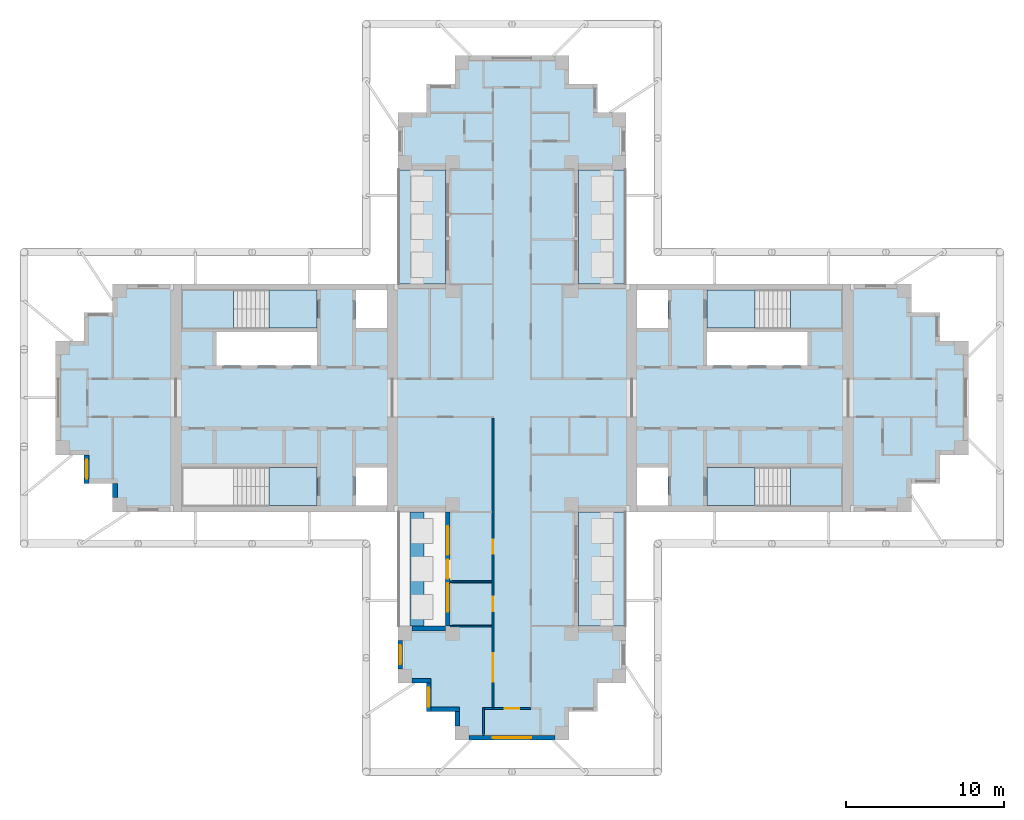
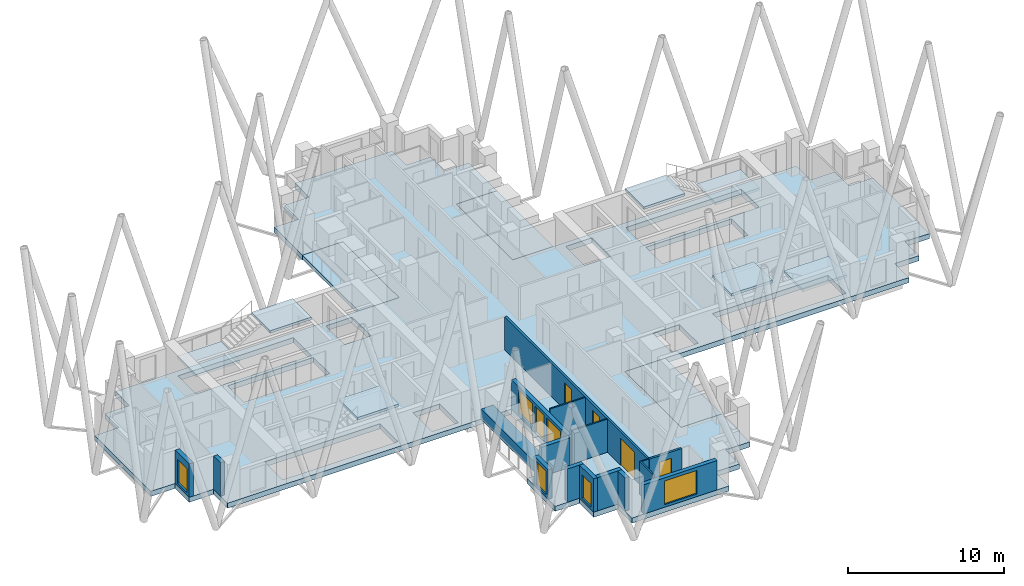
# One storey, part 2 of 11: 17 walls, 11 slabs, 6 windows, 5 doors, 11 openings, 4 elements without a shape of their own.
"""IFC4 building model written with IfcOpenShell, lengths in metres."""

import ifcopenshell
import ifcopenshell.guid

model = None  # the IFC model being written
_history = None  # IfcOwnerHistory: only IFC2X3 demands one
_inside = {}  # id of a spatial element -> (the spatial element, [elements in it])
_under = {}  # id of a project, library or spatial element -> (it, [spatial elements below it])
_declared = {}  # id of a project -> (the project, [libraries it declares])
_typed = {}  # id of a type object -> (the type object, [elements of that type])
_made_of = {}  # id of a material, layer set ... -> (it, [elements and type objects made of it])


def new_model(schema):
    """Start an empty IFC model of exactly this schema.

    Asked for "IFC4X3", IfcOpenShell would pick the latest addendum, in which some entities
    have other attributes; the version numbers below select the first issue.
    IFC2X3 requires an IfcOwnerHistory on every rooted entity: one is made here for all.
    """
    global model, _history
    if schema == "IFC4X3":
        model = ifcopenshell.file(schema_version=(4, 3, 0, 0))
    else:
        model = ifcopenshell.file(schema=schema)
    _inside.clear()
    _under.clear()
    _declared.clear()
    _typed.clear()
    _made_of.clear()
    _history = None
    if model.schema == "IFC2X3":
        org = make("IfcOrganization", Name="unknown")
        user = make(
            "IfcPersonAndOrganization",
            ThePerson=make("IfcPerson", FamilyName="unknown"),
            TheOrganization=org,
        )
        app = make(
            "IfcApplication",
            ApplicationDeveloper=org,
            Version="unknown",
            ApplicationFullName="unknown",
            ApplicationIdentifier="unknown",
        )
        _history = make(
            "IfcOwnerHistory",
            OwningUser=user,
            OwningApplication=app,
            ChangeAction="ADDED",
            CreationDate=0,
        )
    return model


def make(cls, **values):
    """One entity of the class cls with the attributes given. An attribute that is None is left unset."""
    return model.create_entity(
        cls, **{name: value for name, value in values.items() if value is not None}
    )


def rooted(cls, **values):
    """An entity with a GlobalId (a new one), such as an element, a storey or a relation."""
    return make(cls, GlobalId=ifcopenshell.guid.new(), OwnerHistory=_history, **values)


def si_unit(unit_type, name, prefix=None):
    """IfcSIUnit, for example si_unit("LENGTHUNIT", "METRE", prefix="MILLI")."""
    return make("IfcSIUnit", UnitType=unit_type, Prefix=prefix, Name=name)


def assignment(units):
    """IfcUnitAssignment: the units of a project."""
    return None if units is None else make("IfcUnitAssignment", Units=units)


def point(xyz):
    """IfcCartesianPoint."""
    return None if xyz is None else make("IfcCartesianPoint", Coordinates=xyz)


def direction(xyz):
    """IfcDirection."""
    return None if xyz is None else make("IfcDirection", DirectionRatios=xyz)


def frame(location, z_axis=None, x_axis=None):
    """IfcAxis2Placement3D, a coordinate frame: its origin and axes. An axis left out is left unset."""
    return make(
        "IfcAxis2Placement3D",
        Location=point(location),
        Axis=direction(z_axis),
        RefDirection=direction(x_axis),
    )


def frame_2d(location, x_axis=None):
    """IfcAxis2Placement2D, a coordinate frame in the plane: its origin and x axis."""
    return make(
        "IfcAxis2Placement2D", Location=point(location), RefDirection=direction(x_axis)
    )


def origin():
    """The frame at (0, 0, 0) with its axes left unset."""
    return frame((0.0, 0.0, 0.0))


def place(relative_to, where):
    """IfcLocalPlacement: puts the frame where relative to a parent placement (None: the world)."""
    return make(
        "IfcLocalPlacement", PlacementRelTo=relative_to, RelativePlacement=where
    )


def context(
    kind, dimensions, precision=None, world=None, true_north=None, identifier=None
):
    """IfcGeometricRepresentationContext, for example the 3D "Model" context."""
    return make(
        "IfcGeometricRepresentationContext",
        ContextIdentifier=identifier,
        ContextType=kind,
        CoordinateSpaceDimension=dimensions,
        Precision=precision,
        WorldCoordinateSystem=world,
        TrueNorth=true_north,
    )


def subcontext(parent, identifier, kind, view, scale=None):
    """IfcGeometricRepresentationSubContext, for example "Body" below "Model"."""
    return make(
        "IfcGeometricRepresentationSubContext",
        ContextIdentifier=identifier,
        ContextType=kind,
        ParentContext=parent,
        TargetScale=scale,
        TargetView=view,
    )


def project(units=None, contexts=None):
    """IfcProject with its units and contexts."""
    return rooted(
        "IfcProject",
        Name="project",
        RepresentationContexts=contexts,
        UnitsInContext=assignment(units),
    )


def spatial(cls, under=None, at=None, **own):
    """A site, building, storey or space (cls), placed at a placement, below another one or the project."""
    s = rooted(cls, ObjectPlacement=at, **own)
    if under is not None:
        _under.setdefault(under.id(), (under, []))[1].append(s)
    return s


def polyline(points):
    """IfcPolyline through the points."""
    return make("IfcPolyline", Points=[point(p) for p in points])


def profile(cls, at=None, kind="AREA", **sizes):
    """A parametric profile (cls). Its sizes go by their IFC names, for example OverallWidth=200.0."""
    return make(cls, ProfileType=kind, Position=at, **sizes)


def rectangle(**sizes):
    """IfcRectangleProfileDef."""
    return profile("IfcRectangleProfileDef", **sizes)


def outline(outer, holes=None, kind="AREA"):
    """IfcArbitraryClosedProfileDef: a profile drawn as a closed curve; with holes, ...WithVoids."""
    if holes is None:
        return make("IfcArbitraryClosedProfileDef", ProfileType=kind, OuterCurve=outer)
    return make(
        "IfcArbitraryProfileDefWithVoids",
        ProfileType=kind,
        OuterCurve=outer,
        InnerCurves=holes,
    )


def extrude(swept, where, along, depth):
    """IfcExtrudedAreaSolid: the profile swept, set in the frame where, extruded along a direction by depth."""
    return make(
        "IfcExtrudedAreaSolid",
        SweptArea=swept,
        Position=where,
        ExtrudedDirection=direction(along),
        Depth=depth,
    )


def shape(context_of_items, identifier, shape_type, items):
    """IfcShapeRepresentation: the items that make up one representation, for example the "Body"."""
    return make(
        "IfcShapeRepresentation",
        ContextOfItems=context_of_items,
        RepresentationIdentifier=identifier,
        RepresentationType=shape_type,
        Items=items,
    )


def material(Name=None, Category=None):
    """IfcMaterial."""
    return make("IfcMaterial", Name=Name, Category=Category)


def layer(
    of_material, thickness, ventilated=None, Name=None, Category=None, Priority=None
):
    """IfcMaterialLayer: one layer of a wall or slab, of a material (None: an air gap)."""
    return make(
        "IfcMaterialLayer",
        Material=of_material,
        LayerThickness=thickness,
        IsVentilated=ventilated,
        Name=Name,
        Category=Category,
        Priority=Priority,
    )


def layer_set(layers, Name=None):
    """IfcMaterialLayerSet."""
    return make("IfcMaterialLayerSet", MaterialLayers=layers, LayerSetName=Name)


def made_of(thing, what):
    """Note that an element or type object is made of a material, layer set ...; save() writes the relation."""
    if what is not None:
        _made_of.setdefault(what.id(), (what, []))[1].append(thing)
    return thing


def type_object(cls, material=None, **own):
    """A type object (cls), such as IfcWallType, which elements share."""
    return made_of(rooted(cls, **own), material)


def element(
    cls,
    number,
    at=None,
    inside=None,
    cuts=None,
    type_object=None,
    material=None,
    context=None,
    identifier="Body",
    shape_type=None,
    held_by="IfcProductDefinitionShape",
    body=None,
    shapes=None,
    **own,
):
    """One element of the class cls, such as IfcWall. Its Tag is "e" and its number.

    at: its placement. inside: the storey or other place that contains it. cuts: it is an
    opening in that element (IfcRelVoidsElement). A single representation is given by context,
    identifier, shape_type and body (its items); several are given by shapes. held_by: the class
    of the entity that holds the representations. save() writes the other relations.
    """
    e = rooted(cls, Tag="e%d" % number, ObjectPlacement=at, **own)
    if body is not None:
        shapes = [shape(context, identifier, shape_type, body)]
    if shapes is not None:
        e.Representation = make(held_by, Representations=shapes)
    if inside is not None:
        _inside.setdefault(inside.id(), (inside, []))[1].append(e)
    if cuts is not None:
        rooted(
            "IfcRelVoidsElement", RelatingBuildingElement=cuts, RelatedOpeningElement=e
        )
    if type_object is not None:
        _typed.setdefault(type_object.id(), (type_object, []))[1].append(e)
    return made_of(e, material)


def fill(opening, filler):
    """IfcRelFillsElement: the door or window that sits in an opening."""
    return rooted(
        "IfcRelFillsElement",
        RelatingOpeningElement=opening,
        RelatedBuildingElement=filler,
    )


def aggregate(whole, parts):
    """IfcRelAggregates: a whole, such as a stair, and the parts it consists of."""
    return rooted("IfcRelAggregates", RelatingObject=whole, RelatedObjects=parts)


def save(model, path):
    """Write the relations noted so far, then the file.

    IfcRelAggregates (storeys below a building ...), IfcRelContainedInSpatialStructure (elements
    in a storey), IfcRelDefinesByType, IfcRelAssociatesMaterial and IfcRelDeclares: one each for
    every whole, place, type object, material and project.
    """
    for whole, parts in _under.values():
        aggregate(whole, parts)
    for where, things in _inside.values():
        rooted(
            "IfcRelContainedInSpatialStructure",
            RelatedElements=things,
            RelatingStructure=where,
        )
    for kind, things in _typed.values():
        rooted("IfcRelDefinesByType", RelatedObjects=things, RelatingType=kind)
    for what, things in _made_of.values():
        rooted("IfcRelAssociatesMaterial", RelatedObjects=things, RelatingMaterial=what)
    for by, libraries in _declared.values():
        rooted("IfcRelDeclares", RelatingContext=by, RelatedDefinitions=libraries)
    model.write(path)


model = new_model("IFC4")

# Units and contexts
model_context = context("Model", 3, precision=1e-05, world=origin(), true_north=direction((0.0, 1.0)))
body_context = subcontext(model_context, "Body", "Model", "MODEL_VIEW")
ifc_project = project(units=[si_unit("LENGTHUNIT", "METRE"), si_unit("AREAUNIT", "SQUARE_METRE"), si_unit("VOLUMEUNIT", "CUBIC_METRE"), si_unit("PLANEANGLEUNIT", "RADIAN"), si_unit("MASSUNIT", "GRAM", prefix="KILO")], contexts=[model_context])

# Site, building, storey
site_placement = place(None, origin())
site = spatial("IfcSite", under=ifc_project, at=site_placement, CompositionType="ELEMENT")
building_placement = place(site_placement, origin())
building = spatial("IfcBuilding", under=site, at=building_placement, Name="Fustian Cross Tower", CompositionType="ELEMENT")
storey_placement = place(building_placement, frame((0.0, 0.0, 210.89990234375)))
storey = spatial("IfcBuildingStorey", under=building, at=storey_placement, Name="L66", CompositionType="ELEMENT", Elevation=210.89990234375)

# Slabs
ifc_material_1 = material(Name="Concrete C40/50", Category="concrete")
ifc_layer_1 = layer(ifc_material_1, 0.300048828125)
ifc_layer_set_1 = layer_set([ifc_layer_1], Name="Concrete C40/50")
slab_type_1 = type_object("IfcSlabType", Name="BS1 BALCONY SLAB 300", PredefinedType="FLOOR", material=ifc_layer_set_1)
slab_1_placement = place(storey_placement, frame((0.0, 0.0, -0.2998046875)))
element("IfcSlab", 1, at=slab_1_placement, inside=storey, type_object=slab_type_1, Name="Balcony slab", PredefinedType="FLOOR", context=body_context, shape_type="SweptSolid", body=[
    extrude(outline(polyline([(4.199951171875, 7.199951171875), (7.199951171875, 7.199951171875), (7.199951171875, 14.39990234375), (4.199951171875, 14.39990234375), (4.199951171875, 7.199951171875)])), origin(), (0.0, 0.0, 1.0), 0.2998046875),
])
slab_2_placement = place(storey_placement, frame((0.0, 0.0, -0.2998046875)))
element("IfcSlab", 2, at=slab_2_placement, inside=storey, type_object=slab_type_1, Name="Balcony slab", PredefinedType="FLOOR", context=body_context, shape_type="SweptSolid", body=[
    extrude(outline(polyline([(-7.199951171875, 7.199951171875), (-4.199951171875, 7.199951171875), (-4.199951171875, 14.39990234375), (-7.199951171875, 14.39990234375), (-7.199951171875, 7.199951171875)])), origin(), (0.0, 0.0, 1.0), 0.2998046875),
])
slab_3_placement = place(storey_placement, frame((0.0, 0.0, -0.2998046875)))
element("IfcSlab", 3, at=slab_3_placement, inside=storey, type_object=slab_type_1, Name="Balcony slab", PredefinedType="FLOOR", context=body_context, shape_type="SweptSolid", body=[
    extrude(outline(polyline([(4.199951171875, -14.39990234375), (7.199951171875, -14.39990234375), (7.199951171875, -7.199951171875), (4.199951171875, -7.199951171875), (4.199951171875, -14.39990234375)])), origin(), (0.0, 0.0, 1.0), 0.2998046875),
])
ifc_material_2 = material(Name="Concrete C40/50", Category="concrete")
ifc_layer_2 = layer(ifc_material_2, 0.39990234375)
ifc_layer_set_2 = layer_set([ifc_layer_2], Name="Concrete C40/50")
slab_type_2 = type_object("IfcSlabType", Name="FLAT SLAB 400", PredefinedType="FLOOR", material=ifc_layer_set_2)
slab_4_placement = place(storey_placement, frame((0.0, 0.0, -0.39990234375)))
element("IfcSlab", 4, at=slab_4_placement, inside=storey, type_object=slab_type_2, Name="FLOOR SLAB L66-1", PredefinedType="FLOOR", context=body_context, shape_type="SweptSolid", body=[
    extrude(outline(polyline([(-3.60009765625, -19.800048828125), (-5.39990234375, -19.800048828125), (-5.39990234375, -18.0), (-7.199951171875, -18.0), (-7.199951171875, -14.39990234375), (-4.199951171875, -14.39990234375), (-4.199951171875, -7.199951171875), (-25.199951171875, -7.199951171875), (-25.199951171875, -5.39990234375), (-27.0, -5.39990234375), (-27.0, -3.60009765625), (-28.800048828125, -3.60009765625), (-28.800048828125, 3.60009765625), (-27.0, 3.60009765625), (-27.0, 5.39990234375), (-25.199951171875, 5.39990234375), (-25.199951171875, 7.199951171875), (-4.199951171875, 7.199951171875), (-4.199951171875, 14.39990234375), (-7.199951171875, 14.39990234375), (-7.199951171875, 18.0), (-5.39990234375, 18.0), (-5.39990234375, 19.800048828125), (-3.60009765625, 19.800048828125), (-3.60009765625, 21.60009765625), (3.60009765625, 21.60009765625), (3.60009765625, 19.800048828125), (5.39990234375, 19.800048828125), (5.39990234375, 18.0), (7.199951171875, 18.0), (7.199951171875, 14.39990234375), (4.199951171875, 14.39990234375), (4.199951171875, 7.199951171875), (25.199951171875, 7.199951171875), (25.199951171875, 5.39990234375), (27.0, 5.39990234375), (27.0, 3.60009765625), (28.800048828125, 3.60009765625), (28.800048828125, -3.60009765625), (27.0, -3.60009765625), (27.0, -5.39990234375), (25.199951171875, -5.39990234375), (25.199951171875, -7.199951171875), (4.199951171875, -7.199951171875), (4.199951171875, -14.39990234375), (7.199951171875, -14.39990234375), (7.199951171875, -18.0), (5.39990234375, -18.0), (5.39990234375, -19.800048828125), (3.60009765625, -19.800048828125), (3.60009765625, -21.60009765625), (-3.60009765625, -21.60009765625), (-3.60009765625, -19.800048828125)]), holes=[polyline([(7.89990234375, 6.800048828125), (7.89990234375, 4.39990234375), (9.85009765625, 4.39990234375), (9.85009765625, 6.800048828125), (7.89990234375, 6.800048828125)]), polyline([(9.85009765625, -4.39990234375), (7.89990234375, -4.39990234375), (7.89990234375, -6.800048828125), (9.85009765625, -6.800048828125), (9.85009765625, -4.39990234375)]), polyline([(-7.89990234375, 4.39990234375), (-7.89990234375, 6.800048828125), (-9.85009765625, 6.800048828125), (-9.85009765625, 4.39990234375), (-7.89990234375, 4.39990234375)]), polyline([(-9.85009765625, -6.800048828125), (-7.89990234375, -6.800048828125), (-7.89990234375, -4.39990234375), (-9.85009765625, -4.39990234375), (-9.85009765625, -6.800048828125)]), polyline([(12.300048828125, 4.14990234375), (12.300048828125, 2.050048828125), (18.64990234375, 2.050048828125), (18.64990234375, 4.14990234375), (12.300048828125, 4.14990234375)]), polyline([(-12.300048828125, 4.14990234375), (-18.64990234375, 4.14990234375), (-18.64990234375, 2.050048828125), (-12.300048828125, 2.050048828125), (-12.300048828125, 4.14990234375)]), polyline([(20.85009765625, 4.39990234375), (20.85009765625, 6.699951171875), (12.300048828125, 6.699951171875), (12.300048828125, 4.39990234375), (20.85009765625, 4.39990234375)]), polyline([(12.300048828125, -6.699951171875), (20.85009765625, -6.699951171875), (20.85009765625, -4.39990234375), (12.300048828125, -4.39990234375), (12.300048828125, -6.699951171875)]), polyline([(-20.85009765625, 6.699951171875), (-20.85009765625, 4.39990234375), (-12.300048828125, 4.39990234375), (-12.300048828125, 6.699951171875), (-20.85009765625, 6.699951171875)]), polyline([(-12.300048828125, -4.39990234375), (-20.85009765625, -4.39990234375), (-20.85009765625, -6.699951171875), (-12.300048828125, -6.699951171875), (-12.300048828125, -4.39990234375)])]), origin(), (0.0, 0.0, 1.0), 0.39990234375),
])

# Stair, slabs
ifc_material_3 = material(Name="Concrete C50/60", Category="concrete")
stair_type = type_object("IfcStairType", Name="STAIR 1200 HALF TURN", PredefinedType="HALF_TURN_STAIR", material=ifc_material_3)
stair_1_placement = place(storey_placement, origin())
stair_1 = element("IfcStair", 5, at=stair_1_placement, inside=storey, type_object=stair_type, Name="Stair ST1", PredefinedType="HALF_TURN_STAIR")
ifc_material_4 = material(Name="Concrete C50/60", Category="concrete")
ifc_layer_3 = layer(ifc_material_4, 0.199951171875)
ifc_layer_set_3 = layer_set([ifc_layer_3], Name="Concrete C50/60")
slab_type_3 = type_object("IfcSlabType", Name="STAIR LANDING", PredefinedType="LANDING", material=ifc_layer_set_3)
slab_5_placement = place(storey_placement, frame((0.0, 0.0, 1.300048828125)))
slab_5 = element("IfcSlab", 6, at=slab_5_placement, type_object=slab_type_3, Name="ST1 landing 1", PredefinedType="LANDING", context=body_context, shape_type="SweptSolid", body=[
    extrude(outline(polyline([(17.590087890625, 4.39990234375), (20.85009765625, 4.39990234375), (20.85009765625, 6.800048828125), (17.590087890625, 6.800048828125), (17.590087890625, 4.39990234375)])), origin(), (0.0, 0.0, 1.0), 0.199951171875),
])
slab_6_placement = place(storey_placement, frame((0.0, 0.0, 2.800048828125)))
slab_6 = element("IfcSlab", 7, at=slab_6_placement, type_object=slab_type_3, Name="ST1 landing 2", PredefinedType="LANDING", context=body_context, shape_type="SweptSolid", body=[
    extrude(outline(polyline([(12.300048828125, 4.39990234375), (15.35009765625, 4.39990234375), (15.35009765625, 6.800048828125), (12.300048828125, 6.800048828125), (12.300048828125, 4.39990234375)])), origin(), (0.0, 0.0, 1.0), 0.199951171875),
])
aggregate(stair_1, [slab_5, slab_6])

stair_2_placement = place(storey_placement, origin())
stair_2 = element("IfcStair", 8, at=stair_2_placement, inside=storey, type_object=stair_type, Name="Stair ST2", PredefinedType="HALF_TURN_STAIR")
slab_7_placement = place(storey_placement, frame((0.0, 0.0, 1.300048828125)))
slab_7 = element("IfcSlab", 9, at=slab_7_placement, type_object=slab_type_3, Name="ST2 landing 1", PredefinedType="LANDING", context=body_context, shape_type="SweptSolid", body=[
    extrude(outline(polyline([(17.590087890625, -4.39990234375), (20.85009765625, -4.39990234375), (20.85009765625, -6.800048828125), (17.590087890625, -6.800048828125), (17.590087890625, -4.39990234375)])), origin(), (0.0, 0.0, 1.0), 0.199951171875),
])
slab_8_placement = place(storey_placement, frame((0.0, 0.0, 2.800048828125)))
slab_8 = element("IfcSlab", 10, at=slab_8_placement, type_object=slab_type_3, Name="ST2 landing 2", PredefinedType="LANDING", context=body_context, shape_type="SweptSolid", body=[
    extrude(outline(polyline([(12.300048828125, -4.39990234375), (15.35009765625, -4.39990234375), (15.35009765625, -6.800048828125), (12.300048828125, -6.800048828125), (12.300048828125, -4.39990234375)])), origin(), (0.0, 0.0, 1.0), 0.199951171875),
])
aggregate(stair_2, [slab_7, slab_8])

stair_3_placement = place(storey_placement, origin())
stair_3 = element("IfcStair", 11, at=stair_3_placement, inside=storey, type_object=stair_type, Name="Stair ST3", PredefinedType="HALF_TURN_STAIR")
slab_9_placement = place(storey_placement, frame((0.0, 0.0, 1.300048828125)))
slab_9 = element("IfcSlab", 12, at=slab_9_placement, type_object=slab_type_3, Name="ST3 landing 1", PredefinedType="LANDING", context=body_context, shape_type="SweptSolid", body=[
    extrude(outline(polyline([(-17.590087890625, 4.39990234375), (-20.85009765625, 4.39990234375), (-20.85009765625, 6.800048828125), (-17.590087890625, 6.800048828125), (-17.590087890625, 4.39990234375)])), origin(), (0.0, 0.0, 1.0), 0.199951171875),
])
slab_10_placement = place(storey_placement, frame((0.0, 0.0, 2.800048828125)))
slab_10 = element("IfcSlab", 13, at=slab_10_placement, type_object=slab_type_3, Name="ST3 landing 2", PredefinedType="LANDING", context=body_context, shape_type="SweptSolid", body=[
    extrude(outline(polyline([(-12.300048828125, 4.39990234375), (-15.35009765625, 4.39990234375), (-15.35009765625, 6.800048828125), (-12.300048828125, 6.800048828125), (-12.300048828125, 4.39990234375)])), origin(), (0.0, 0.0, 1.0), 0.199951171875),
])
aggregate(stair_3, [slab_9, slab_10])

# Stair, slab
stair_4_placement = place(storey_placement, origin())
stair_4 = element("IfcStair", 14, at=stair_4_placement, inside=storey, type_object=stair_type, Name="Stair ST4", PredefinedType="HALF_TURN_STAIR")
slab_11_placement = place(storey_placement, frame((0.0, 0.0, 2.800048828125)))
slab_11 = element("IfcSlab", 15, at=slab_11_placement, type_object=slab_type_3, Name="ST4 landing 2", PredefinedType="LANDING", context=body_context, shape_type="SweptSolid", body=[
    extrude(outline(polyline([(-12.300048828125, -4.39990234375), (-15.35009765625, -4.39990234375), (-15.35009765625, -6.800048828125), (-12.300048828125, -6.800048828125), (-12.300048828125, -4.39990234375)])), origin(), (0.0, 0.0, 1.0), 0.199951171875),
])
aggregate(stair_4, [slab_11])

# Wall, openings, doors
ifc_material_5 = material(Name="Plasterboard on steel stud", Category="steel")
ifc_layer_4 = layer(ifc_material_5, 0.14990234375)
ifc_layer_set_4 = layer_set([ifc_layer_4], Name="Plasterboard on steel stud")
wall_type_1 = type_object("IfcWallType", Name="COMPARTMENT WALL 150 EI 60", PredefinedType="PARTITIONING", material=ifc_layer_set_4)
wall_1_placement = place(storey_placement, frame((-1.199951171875, -19.52490234375, 0.0), z_axis=(0.0, 0.0, 1.0), x_axis=(0.0, 1.0, 0.0)))
wall_1 = element("IfcWall", 16, at=wall_1_placement, inside=storey, type_object=wall_type_1, Name="Partition 28", PredefinedType="PARTITIONING", context=body_context, shape_type="SweptSolid", body=[
    extrude(rectangle(XDim=18.25, YDim=0.14990234375, at=frame_2d((9.125, 0.0))), origin(), (0.0, 0.0, 1.0), 2.60009765625),
])
opening_1_placement = place(wall_1_placement, frame((6.074951171875, 0.0, 0.0)))
opening_1 = element("IfcOpeningElement", 17, at=opening_1_placement, cuts=wall_1, Name="Opening D30033", PredefinedType="OPENING", context=body_context, shape_type="SweptSolid", body=[
    extrude(rectangle(XDim=0.89990234375, YDim=2.10009765625, at=frame_2d((0.449951171875, 1.050048828125))), frame((0.0, 0.0849609375, 0.0), z_axis=(0.0, -1.0, 0.0), x_axis=(1.0, 0.0, 0.0)), (0.0, 0.0, 1.0), 0.169921875),
])
opening_2_placement = place(wall_1_placement, frame((9.675048828125, 0.0, 0.0)))
opening_2 = element("IfcOpeningElement", 18, at=opening_2_placement, cuts=wall_1, Name="Opening D30034", PredefinedType="OPENING", context=body_context, shape_type="SweptSolid", body=[
    extrude(rectangle(XDim=0.89990234375, YDim=2.10009765625, at=frame_2d((0.449951171875, 1.050048828125))), frame((0.0, 0.0849609375, 0.0), z_axis=(0.0, -1.0, 0.0), x_axis=(1.0, 0.0, 0.0)), (0.0, 0.0, 1.0), 0.169921875),
])
opening_3_placement = place(wall_1_placement, frame((1.625, 0.0, 0.0)))
opening_3 = element("IfcOpeningElement", 19, at=opening_3_placement, cuts=wall_1, Name="Opening D30035", PredefinedType="OPENING", context=body_context, shape_type="SweptSolid", body=[
    extrude(rectangle(XDim=1.800048828125, YDim=2.10009765625, at=frame_2d((0.89990234375, 1.050048828125))), frame((0.0, 0.0849609375, 0.0), z_axis=(0.0, -1.0, 0.0), x_axis=(1.0, 0.0, 0.0)), (0.0, 0.0, 1.0), 0.169921875),
])
ifc_material_6 = material(Name="Timber fire door set", Category="wood")
door_type_1 = type_object("IfcDoorType", Name="FIRE DOUBLE DOOR 1800 FD30S", OperationType="DOUBLE_DOOR_DOUBLE_SWING", PredefinedType="DOOR", material=ifc_material_6)
door_1_placement = place(opening_3_placement, frame((1.800048828125, 0.0, 0.0), z_axis=(0.0, 0.0, 1.0), x_axis=(-1.0, 0.0, 0.0)))
door_1 = element("IfcDoor", 20, at=door_1_placement, inside=storey, type_object=door_type_1, Name="Door D30035", OperationType="DOUBLE_DOOR_DOUBLE_SWING", OverallHeight=2.10009765625, OverallWidth=1.800048828125, PredefinedType="DOOR", context=body_context, shape_type="SweptSolid", body=[
    extrude(rectangle(XDim=1.800048828125, YDim=2.10009765625, at=frame_2d((0.89990234375, 1.050048828125))), frame((0.0, 0.02490234375, 0.0), z_axis=(0.0, -1.0, 0.0), x_axis=(1.0, 0.0, 0.0)), (0.0, 0.0, 1.0), 0.050048828125),
])
fill(opening_3, door_1)
ifc_material_7 = material(Name="Timber fire door set", Category="wood")
door_type_2 = type_object("IfcDoorType", Name="FIRE SWING DOOR 900 FD30S", OperationType="SINGLE_SWING_LEFT", PredefinedType="DOOR", material=ifc_material_7)
door_2_placement = place(opening_1_placement, origin())
door_2 = element("IfcDoor", 21, at=door_2_placement, inside=storey, type_object=door_type_2, Name="Door D30033", OperationType="SINGLE_SWING_LEFT", OverallHeight=2.10009765625, OverallWidth=0.89990234375, PredefinedType="DOOR", context=body_context, shape_type="SweptSolid", body=[
    extrude(rectangle(XDim=0.89990234375, YDim=2.10009765625, at=frame_2d((0.449951171875, 1.050048828125))), frame((0.0, 0.02490234375, 0.0), z_axis=(0.0, -1.0, 0.0), x_axis=(1.0, 0.0, 0.0)), (0.0, 0.0, 1.0), 0.050048828125),
])
fill(opening_1, door_2)
door_3_placement = place(opening_2_placement, origin())
door_3 = element("IfcDoor", 22, at=door_3_placement, inside=storey, type_object=door_type_2, Name="Door D30034", OperationType="SINGLE_SWING_LEFT", OverallHeight=2.10009765625, OverallWidth=0.89990234375, PredefinedType="DOOR", context=body_context, shape_type="SweptSolid", body=[
    extrude(rectangle(XDim=0.89990234375, YDim=2.10009765625, at=frame_2d((0.449951171875, 1.050048828125))), frame((0.0, 0.02490234375, 0.0), z_axis=(0.0, -1.0, 0.0), x_axis=(1.0, 0.0, 0.0)), (0.0, 0.0, 1.0), 0.050048828125),
])
fill(opening_2, door_3)

# Wall, opening, door
wall_2_placement = place(storey_placement, frame((-1.199951171875, -19.60009765625, 0.0), z_axis=(0.0, 0.0, 1.0), x_axis=(1.0, 0.0, 0.0)))
wall_2 = element("IfcWall", 23, at=wall_2_placement, inside=storey, type_object=wall_type_1, Name="Partition 29", PredefinedType="PARTITIONING", context=body_context, shape_type="SweptSolid", body=[
    extrude(rectangle(XDim=2.39990234375, YDim=0.14990234375, at=frame_2d((1.199951171875, 0.0))), origin(), (0.0, 0.0, 1.0), 2.60009765625),
])
opening_4_placement = place(wall_2_placement, frame((0.75, 0.0, 0.0)))
opening_4 = element("IfcOpeningElement", 24, at=opening_4_placement, cuts=wall_2, Name="Opening D30030", PredefinedType="OPENING", context=body_context, shape_type="SweptSolid", body=[
    extrude(rectangle(XDim=0.89990234375, YDim=2.10009765625, at=frame_2d((0.449951171875, 1.050048828125))), frame((0.0, 0.0849609375, 0.0), z_axis=(0.0, -1.0, 0.0), x_axis=(1.0, 0.0, 0.0)), (0.0, 0.0, 1.0), 0.169921875),
])
door_4_placement = place(opening_4_placement, frame((0.89990234375, 0.0, 0.0), z_axis=(0.0, 0.0, 1.0), x_axis=(-1.0, 0.0, 0.0)))
door_4 = element("IfcDoor", 25, at=door_4_placement, inside=storey, type_object=door_type_2, Name="Door D30030", OperationType="SINGLE_SWING_RIGHT", OverallHeight=2.10009765625, OverallWidth=0.89990234375, PredefinedType="DOOR", context=body_context, shape_type="SweptSolid", body=[
    extrude(rectangle(XDim=0.89990234375, YDim=2.10009765625, at=frame_2d((0.449951171875, 1.050048828125))), frame((0.0, 0.02490234375, 0.0), z_axis=(0.0, -1.0, 0.0), x_axis=(1.0, 0.0, 0.0)), (0.0, 0.0, 1.0), 0.050048828125),
])
fill(opening_4, door_4)

# Walls
ifc_material_8 = material(Name="Plasterboard on steel stud", Category="steel")
ifc_layer_5 = layer(ifc_material_8, 0.10009765625)
ifc_layer_set_5 = layer_set([ifc_layer_5], Name="Plasterboard on steel stud")
wall_type_2 = type_object("IfcWallType", Name="PARTITION 100 STUD", PredefinedType="PARTITIONING", material=ifc_layer_set_5)
for number, where, z_axis, x_axis, name in (
    (26, (-3.89990234375, -14.39990234375, 0.0), (0.0, 0.0, 1.0), (1.0, 0.0, 0.0), "Partition 14"),
    (27, (-3.89990234375, -11.60009765625, 0.0), (0.0, 0.0, 1.0), (1.0, 0.0, 0.0), "Partition 15"),
):
    element("IfcWall", number, at=place(storey_placement, frame(where, z_axis=z_axis, x_axis=x_axis)), inside=storey, type_object=wall_type_2, Name=name, PredefinedType="PARTITIONING", context=body_context, shape_type="SweptSolid", body=[
        extrude(rectangle(XDim=2.625, YDim=0.10009765625, at=frame_2d((1.3125, 0.0))), origin(), (0.0, 0.0, 1.0), 2.60009765625),
    ])
wall_3_placement = place(storey_placement, frame((-1.800048828125, -21.300048828125, 0.0), z_axis=(0.0, 0.0, 1.0), x_axis=(0.0, 1.0, 0.0)))
element("IfcWall", 28, at=wall_3_placement, inside=storey, type_object=wall_type_2, Name="Partition 24", PredefinedType="PARTITIONING", context=body_context, shape_type="SweptSolid", body=[
    extrude(rectangle(XDim=1.75, YDim=0.10009765625, at=frame_2d((0.875, 0.0))), origin(), (0.0, 0.0, 1.0), 2.60009765625),
])
wall_4_placement = place(storey_placement, frame((-1.75, -19.60009765625, 0.0), z_axis=(0.0, 0.0, 1.0), x_axis=(1.0, 0.0, 0.0)))
element("IfcWall", 29, at=wall_4_placement, inside=storey, type_object=wall_type_2, Name="Partition 25", PredefinedType="PARTITIONING", context=body_context, shape_type="SweptSolid", body=[
    extrude(rectangle(XDim=0.550048828125, YDim=0.10009765625, at=frame_2d((0.27490234375, 0.0))), origin(), (0.0, 0.0, 1.0), 2.60009765625),
])
ifc_material_9 = material(Name="Concrete C40/50", Category="concrete")
ifc_layer_6 = layer(ifc_material_9, 0.89990234375)
ifc_layer_set_6 = layer_set([ifc_layer_6], Name="Concrete C40/50")
wall_type_3 = type_object("IfcWallType", Name="PK1 PLANTER 900", PredefinedType="PARAPET", material=ifc_layer_set_6)
wall_5_placement = place(storey_placement, frame((-6.0, -14.39990234375, 0.0), z_axis=(0.0, 0.0, 1.0), x_axis=(0.0, 1.0, 0.0)))
element("IfcWall", 30, at=wall_5_placement, inside=storey, type_object=wall_type_3, Name="PLANTER", PredefinedType="PARAPET", context=body_context, shape_type="SweptSolid", body=[
    extrude(rectangle(XDim=7.199951171875, YDim=0.89990234375, at=frame_2d((3.60009765625, 0.0))), origin(), (0.0, 0.0, 1.0), 0.800048828125),
])

# Wall, opening, window
ifc_material_10 = material(Name="Dark aluminium cladding on insulated backing wall", Category="aluminium")
ifc_layer_7 = layer(ifc_material_10, 0.300048828125)
ifc_layer_set_7 = layer_set([ifc_layer_7], Name="Dark aluminium cladding on insulated backing wall")
wall_type_4 = type_object("IfcWallType", Name="XW1 EXTERNAL WALL 300", PredefinedType="SOLIDWALL", material=ifc_layer_set_7)
wall_6_placement = place(storey_placement, frame((-26.85009765625, -3.60009765625, 0.0), z_axis=(0.0, 0.0, 1.0), x_axis=(0.0, -1.0, 0.0)))
wall_6 = element("IfcWall", 31, at=wall_6_placement, inside=storey, type_object=wall_type_4, Name="External wall", PredefinedType="SOLIDWALL", context=body_context, shape_type="SweptSolid", body=[
    extrude(rectangle(XDim=1.7998046875, YDim=0.300048828125, at=frame_2d((0.89990234375, 0.0))), origin(), (0.0, 0.0, 1.0), 2.60009765625),
])
opening_5_placement = place(wall_6_placement, frame((0.300048828125, 0.0, 0.199951171875)))
opening_5 = element("IfcOpeningElement", 32, at=opening_5_placement, cuts=wall_6, Name="Opening WN3", PredefinedType="OPENING", context=body_context, shape_type="SweptSolid", body=[
    extrude(rectangle(XDim=1.199951171875, YDim=1.85009765625, at=frame_2d((0.60009765625, 0.925048828125))), frame((0.0, 0.159912109375, 0.0), z_axis=(0.0, -1.0, 0.0), x_axis=(1.0, 0.0, 0.0)), (0.0, 0.0, 1.0), 0.320068359375),
])
ifc_material_11 = material(Name="Dark anodised aluminium and double glazing", Category="aluminium")
window_type_1 = type_object("IfcWindowType", Name="WN3 WINDOW 1200X1850", PartitioningType="SINGLE_PANEL", PredefinedType="WINDOW", material=ifc_material_11)
window_1_placement = place(opening_5_placement, origin())
window_1 = element("IfcWindow", 33, at=window_1_placement, inside=storey, type_object=window_type_1, Name="Window", OverallHeight=1.85009765625, OverallWidth=1.199951171875, PartitioningType="SINGLE_PANEL", PredefinedType="WINDOW", context=body_context, shape_type="SweptSolid", body=[
    extrude(rectangle(XDim=1.199951171875, YDim=1.85009765625, at=frame_2d((0.60009765625, 0.925048828125))), frame((0.0, 0.030029296875, 0.0), z_axis=(0.0, -1.0, 0.0), x_axis=(1.0, 0.0, 0.0)), (0.0, 0.0, 1.0), 0.06005859375),
])
fill(opening_5, window_1)

# Wall
wall_7_placement = place(storey_placement, frame((-25.050048828125, -5.39990234375, 0.0), z_axis=(0.0, 0.0, 1.0), x_axis=(0.0, -1.0, 0.0)))
element("IfcWall", 34, at=wall_7_placement, inside=storey, type_object=wall_type_4, Name="External wall", PredefinedType="SOLIDWALL", context=body_context, shape_type="SweptSolid", body=[
    extrude(rectangle(XDim=0.900146484375, YDim=0.300048828125, at=frame_2d((0.4501953125, 0.0))), origin(), (0.0, 0.0, 1.0), 2.60009765625),
])

# Wall, openings, door, windows
wall_8_placement = place(storey_placement, frame((-4.050048828125, -7.199951171875, 0.0), z_axis=(0.0, 0.0, 1.0), x_axis=(0.0, -1.0, 0.0)))
wall_8 = element("IfcWall", 35, at=wall_8_placement, inside=storey, type_object=wall_type_4, Name="External wall", PredefinedType="SOLIDWALL", context=body_context, shape_type="SweptSolid", body=[
    extrude(rectangle(XDim=7.199951171875, YDim=0.300048828125, at=frame_2d((3.60009765625, 0.0))), origin(), (0.0, 0.0, 1.0), 2.300048828125),
])
opening_6_placement = place(wall_8_placement, frame((3.0, 0.0, 0.0)))
opening_6 = element("IfcOpeningElement", 36, at=opening_6_placement, cuts=wall_8, Name="Opening XD4", PredefinedType="OPENING", context=body_context, shape_type="SweptSolid", body=[
    extrude(rectangle(XDim=1.199951171875, YDim=2.050048828125, at=frame_2d((0.60009765625, 1.02490234375))), frame((0.0, 0.159912109375, 0.0), z_axis=(0.0, -1.0, 0.0), x_axis=(1.0, 0.0, 0.0)), (0.0, 0.0, 1.0), 0.320068359375),
])
opening_7_placement = place(wall_8_placement, frame((0.89990234375, 0.0, 0.199951171875)))
opening_7 = element("IfcOpeningElement", 37, at=opening_7_placement, cuts=wall_8, Name="Opening WN2", PredefinedType="OPENING", context=body_context, shape_type="SweptSolid", body=[
    extrude(rectangle(XDim=1.800048828125, YDim=1.85009765625, at=frame_2d((0.89990234375, 0.925048828125))), frame((0.0, 0.159912109375, 0.0), z_axis=(0.0, -1.0, 0.0), x_axis=(1.0, 0.0, 0.0)), (0.0, 0.0, 1.0), 0.320068359375),
])
opening_8_placement = place(wall_8_placement, frame((4.5, 0.0, 0.199951171875)))
opening_8 = element("IfcOpeningElement", 38, at=opening_8_placement, cuts=wall_8, Name="Opening WN2", PredefinedType="OPENING", context=body_context, shape_type="SweptSolid", body=[
    extrude(rectangle(XDim=1.800048828125, YDim=1.85009765625, at=frame_2d((0.89990234375, 0.925048828125))), frame((0.0, 0.159912109375, 0.0), z_axis=(0.0, -1.0, 0.0), x_axis=(1.0, 0.0, 0.0)), (0.0, 0.0, 1.0), 0.320068359375),
])
ifc_material_12 = material(Name="Dark anodised aluminium and double glazing", Category="aluminium")
door_type_3 = type_object("IfcDoorType", Name="ED1 BALCONY DOOR 1200X2050", OperationType="SINGLE_SWING_LEFT", PredefinedType="DOOR", material=ifc_material_12)
door_5_placement = place(opening_6_placement, origin())
door_5 = element("IfcDoor", 39, at=door_5_placement, inside=storey, type_object=door_type_3, Name="Balcony door", OperationType="SINGLE_SWING_LEFT", OverallHeight=2.050048828125, OverallWidth=1.199951171875, PredefinedType="DOOR", context=body_context, shape_type="SweptSolid", body=[
    extrude(rectangle(XDim=1.199951171875, YDim=2.050048828125, at=frame_2d((0.60009765625, 1.02490234375))), frame((0.0, 0.02490234375, 0.0), z_axis=(0.0, -1.0, 0.0), x_axis=(1.0, 0.0, 0.0)), (0.0, 0.0, 1.0), 0.050048828125),
])
fill(opening_6, door_5)
ifc_material_13 = material(Name="Dark anodised aluminium and double glazing", Category="aluminium")
window_type_2 = type_object("IfcWindowType", Name="WN2 WINDOW 1800X1850", PartitioningType="SINGLE_PANEL", PredefinedType="WINDOW", material=ifc_material_13)
window_2_placement = place(opening_7_placement, origin())
window_2 = element("IfcWindow", 40, at=window_2_placement, inside=storey, type_object=window_type_2, Name="Window", OverallHeight=1.85009765625, OverallWidth=1.800048828125, PartitioningType="SINGLE_PANEL", PredefinedType="WINDOW", context=body_context, shape_type="SweptSolid", body=[
    extrude(rectangle(XDim=1.800048828125, YDim=1.85009765625, at=frame_2d((0.89990234375, 0.925048828125))), frame((0.0, 0.030029296875, 0.0), z_axis=(0.0, -1.0, 0.0), x_axis=(1.0, 0.0, 0.0)), (0.0, 0.0, 1.0), 0.06005859375),
])
fill(opening_7, window_2)
window_3_placement = place(opening_8_placement, origin())
window_3 = element("IfcWindow", 41, at=window_3_placement, inside=storey, type_object=window_type_2, Name="Window", OverallHeight=1.85009765625, OverallWidth=1.800048828125, PartitioningType="SINGLE_PANEL", PredefinedType="WINDOW", context=body_context, shape_type="SweptSolid", body=[
    extrude(rectangle(XDim=1.800048828125, YDim=1.85009765625, at=frame_2d((0.89990234375, 0.925048828125))), frame((0.0, 0.030029296875, 0.0), z_axis=(0.0, -1.0, 0.0), x_axis=(1.0, 0.0, 0.0)), (0.0, 0.0, 1.0), 0.06005859375),
])
fill(opening_8, window_3)

# Wall
wall_9_placement = place(storey_placement, frame((-4.199951171875, -14.550048828125, 0.0), z_axis=(0.0, 0.0, 1.0), x_axis=(-1.0, 0.0, 0.0)))
element("IfcWall", 42, at=wall_9_placement, inside=storey, type_object=wall_type_4, Name="External wall", PredefinedType="SOLIDWALL", context=body_context, shape_type="SweptSolid", body=[
    extrude(rectangle(XDim=2.10009765625, YDim=0.300048828125, at=frame_2d((1.050048828125, 0.0))), origin(), (0.0, 0.0, 1.0), 2.300048828125),
])

# Wall, opening, window
wall_10_placement = place(storey_placement, frame((-7.050048828125, -15.300048828125, 0.0), z_axis=(0.0, 0.0, 1.0), x_axis=(0.0, -1.0, 0.0)))
wall_10 = element("IfcWall", 43, at=wall_10_placement, inside=storey, type_object=wall_type_4, Name="External wall", PredefinedType="SOLIDWALL", context=body_context, shape_type="SweptSolid", body=[
    extrude(rectangle(XDim=1.800048828125, YDim=0.300048828125, at=frame_2d((0.89990234375, 0.0))), origin(), (0.0, 0.0, 1.0), 2.300048828125),
])
opening_9_placement = place(wall_10_placement, frame((0.300048828125, 0.0, 0.199951171875)))
opening_9 = element("IfcOpeningElement", 44, at=opening_9_placement, cuts=wall_10, Name="Opening WN3", PredefinedType="OPENING", context=body_context, shape_type="SweptSolid", body=[
    extrude(rectangle(XDim=1.199951171875, YDim=1.85009765625, at=frame_2d((0.60009765625, 0.925048828125))), frame((0.0, 0.159912109375, 0.0), z_axis=(0.0, -1.0, 0.0), x_axis=(1.0, 0.0, 0.0)), (0.0, 0.0, 1.0), 0.320068359375),
])
window_4_placement = place(opening_9_placement, origin())
window_4 = element("IfcWindow", 45, at=window_4_placement, inside=storey, type_object=window_type_1, Name="Window", OverallHeight=1.85009765625, OverallWidth=1.199951171875, PartitioningType="SINGLE_PANEL", PredefinedType="WINDOW", context=body_context, shape_type="SweptSolid", body=[
    extrude(rectangle(XDim=1.199951171875, YDim=1.85009765625, at=frame_2d((0.60009765625, 0.925048828125))), frame((0.0, 0.030029296875, 0.0), z_axis=(0.0, -1.0, 0.0), x_axis=(1.0, 0.0, 0.0)), (0.0, 0.0, 1.0), 0.06005859375),
])
fill(opening_9, window_4)

# Wall
wall_11_placement = place(storey_placement, frame((-6.300048828125, -17.85009765625, 0.0), z_axis=(0.0, 0.0, 1.0), x_axis=(1.0, 0.0, 0.0)))
element("IfcWall", 46, at=wall_11_placement, inside=storey, type_object=wall_type_4, Name="External wall", PredefinedType="SOLIDWALL", context=body_context, shape_type="SweptSolid", body=[
    extrude(rectangle(XDim=1.199951171875, YDim=0.300048828125, at=frame_2d((0.60009765625, 0.0))), origin(), (0.0, 0.0, 1.0), 2.60009765625),
])

# Wall, opening, window
wall_12_placement = place(storey_placement, frame((-5.25, -18.0, 0.0), z_axis=(0.0, 0.0, 1.0), x_axis=(0.0, -1.0, 0.0)))
wall_12 = element("IfcWall", 47, at=wall_12_placement, inside=storey, type_object=wall_type_4, Name="External wall", PredefinedType="SOLIDWALL", context=body_context, shape_type="SweptSolid", body=[
    extrude(rectangle(XDim=1.800048828125, YDim=0.300048828125, at=frame_2d((0.89990234375, 0.0))), origin(), (0.0, 0.0, 1.0), 2.60009765625),
])
opening_10_placement = place(wall_12_placement, frame((0.300048828125, 0.0, 0.199951171875)))
opening_10 = element("IfcOpeningElement", 48, at=opening_10_placement, cuts=wall_12, Name="Opening WN3", PredefinedType="OPENING", context=body_context, shape_type="SweptSolid", body=[
    extrude(rectangle(XDim=1.199951171875, YDim=1.85009765625, at=frame_2d((0.60009765625, 0.925048828125))), frame((0.0, 0.159912109375, 0.0), z_axis=(0.0, -1.0, 0.0), x_axis=(1.0, 0.0, 0.0)), (0.0, 0.0, 1.0), 0.320068359375),
])
window_5_placement = place(opening_10_placement, origin())
window_5 = element("IfcWindow", 49, at=window_5_placement, inside=storey, type_object=window_type_1, Name="Window", OverallHeight=1.85009765625, OverallWidth=1.199951171875, PartitioningType="SINGLE_PANEL", PredefinedType="WINDOW", context=body_context, shape_type="SweptSolid", body=[
    extrude(rectangle(XDim=1.199951171875, YDim=1.85009765625, at=frame_2d((0.60009765625, 0.925048828125))), frame((0.0, 0.030029296875, 0.0), z_axis=(0.0, -1.0, 0.0), x_axis=(1.0, 0.0, 0.0)), (0.0, 0.0, 1.0), 0.06005859375),
])
fill(opening_10, window_5)

# Walls
wall_13_placement = place(storey_placement, frame((-5.10009765625, -19.64990234375, 0.0), z_axis=(0.0, 0.0, 1.0), x_axis=(1.0, 0.0, 0.0)))
element("IfcWall", 50, at=wall_13_placement, inside=storey, type_object=wall_type_4, Name="External wall", PredefinedType="SOLIDWALL", context=body_context, shape_type="SweptSolid", body=[
    extrude(rectangle(XDim=1.800048828125, YDim=0.300048828125, at=frame_2d((0.89990234375, 0.0))), origin(), (0.0, 0.0, 1.0), 2.60009765625),
])
wall_14_placement = place(storey_placement, frame((-3.449951171875, -19.800048828125, 0.0), z_axis=(0.0, 0.0, 1.0), x_axis=(0.0, -1.0, 0.0)))
element("IfcWall", 51, at=wall_14_placement, inside=storey, type_object=wall_type_4, Name="External wall", PredefinedType="SOLIDWALL", context=body_context, shape_type="SweptSolid", body=[
    extrude(rectangle(XDim=0.89990234375, YDim=0.300048828125, at=frame_2d((0.449951171875, 0.0))), origin(), (0.0, 0.0, 1.0), 2.60009765625),
])

# Wall, opening, window
wall_15_placement = place(storey_placement, frame((-2.699951171875, -21.449951171875, 0.0), z_axis=(0.0, 0.0, 1.0), x_axis=(1.0, 0.0, 0.0)))
wall_15 = element("IfcWall", 52, at=wall_15_placement, inside=storey, type_object=wall_type_4, Name="External wall", PredefinedType="SOLIDWALL", context=body_context, shape_type="SweptSolid", body=[
    extrude(rectangle(XDim=5.39990234375, YDim=0.300048828125, at=frame_2d((2.699951171875, 0.0))), origin(), (0.0, 0.0, 1.0), 2.300048828125),
])
opening_11_placement = place(wall_15_placement, frame((1.5, 0.0, 0.199951171875)))
opening_11 = element("IfcOpeningElement", 53, at=opening_11_placement, cuts=wall_15, Name="Opening WN1", PredefinedType="OPENING", context=body_context, shape_type="SweptSolid", body=[
    extrude(rectangle(XDim=2.39990234375, YDim=1.85009765625, at=frame_2d((1.199951171875, 0.925048828125))), frame((0.0, 0.159912109375, 0.0), z_axis=(0.0, -1.0, 0.0), x_axis=(1.0, 0.0, 0.0)), (0.0, 0.0, 1.0), 0.320068359375),
])
ifc_material_14 = material(Name="Dark anodised aluminium and double glazing", Category="aluminium")
window_type_3 = type_object("IfcWindowType", Name="WN1 WINDOW 2400X1850", PartitioningType="SINGLE_PANEL", PredefinedType="WINDOW", material=ifc_material_14)
window_6_placement = place(opening_11_placement, origin())
window_6 = element("IfcWindow", 54, at=window_6_placement, inside=storey, type_object=window_type_3, Name="Window", OverallHeight=1.85009765625, OverallWidth=2.39990234375, PartitioningType="SINGLE_PANEL", PredefinedType="WINDOW", context=body_context, shape_type="SweptSolid", body=[
    extrude(rectangle(XDim=2.39990234375, YDim=1.85009765625, at=frame_2d((1.199951171875, 0.925048828125))), frame((0.0, 0.030029296875, 0.0), z_axis=(0.0, -1.0, 0.0), x_axis=(1.0, 0.0, 0.0)), (0.0, 0.0, 1.0), 0.06005859375),
])
fill(opening_11, window_6)

save(model, "model.ifc")
